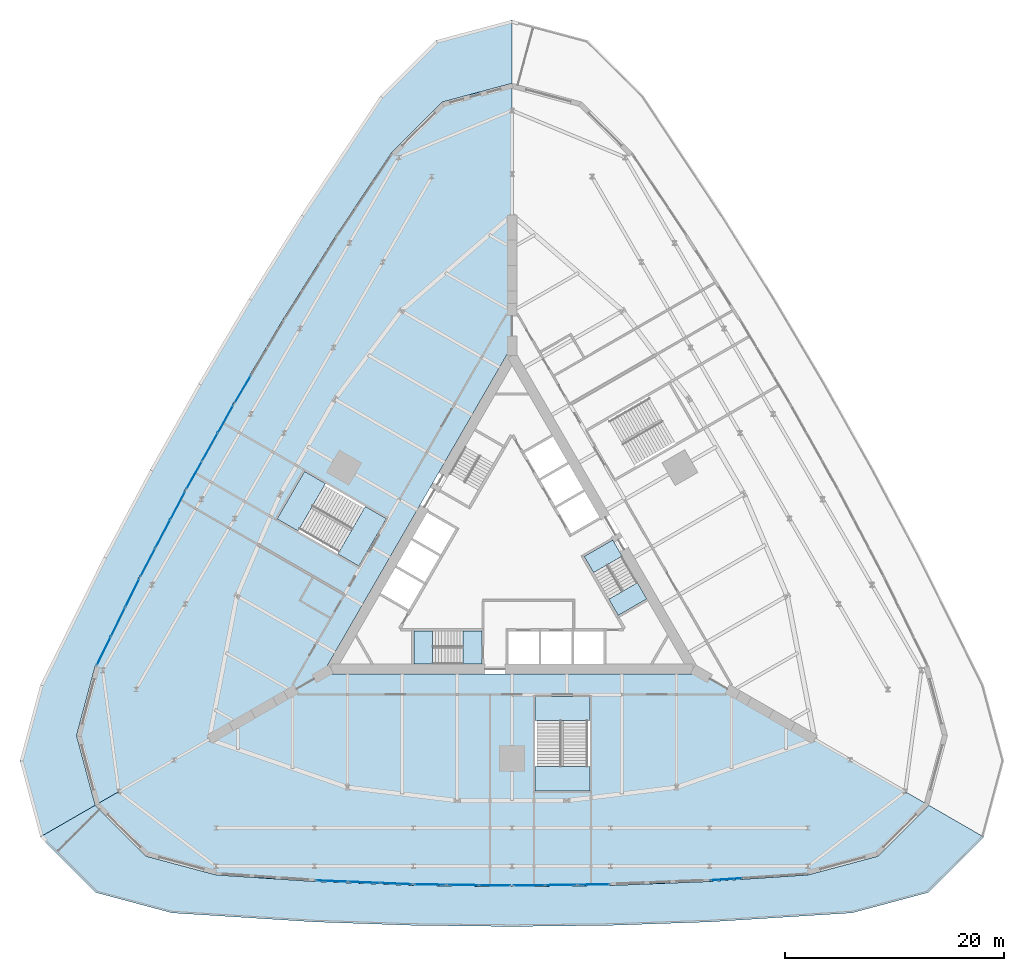
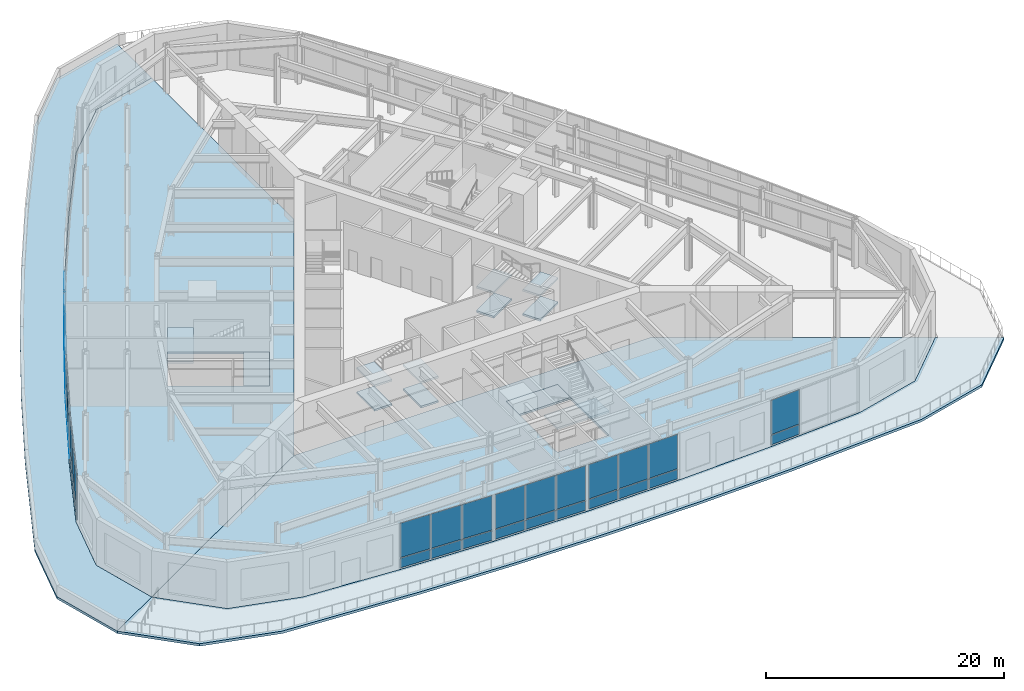
# One storey, part 10 of 20: 40 plates, 16 slabs, 12 elements without a shape of their own.
"""IFC4 building model written with IfcOpenShell, lengths in metres."""

from ifc_helpers import new_model, si_unit, direction, frame, origin, origin_2d, place, context, subcontext, project, spatial, polyline, rectangle, outline, extrude, material, layer, layer_set, type_object, element, aggregate, save


model = new_model("IFC4")

# Units and contexts
model_context = context("Model", 3, precision=1e-05, world=origin(), true_north=direction((0.0, 1.0)))
body_context = subcontext(model_context, "Body", "Model", "MODEL_VIEW")
ifc_project = project(units=[si_unit("LENGTHUNIT", "METRE"), si_unit("AREAUNIT", "SQUARE_METRE"), si_unit("VOLUMEUNIT", "CUBIC_METRE"), si_unit("PLANEANGLEUNIT", "RADIAN"), si_unit("MASSUNIT", "GRAM", prefix="KILO")], contexts=[model_context])

# Site, building, storey
site_placement = place(None, origin())
site = spatial("IfcSite", under=ifc_project, at=site_placement, CompositionType="ELEMENT")
building_placement = place(site_placement, origin())
building = spatial("IfcBuilding", under=site, at=building_placement, Name="Trikona Tower", CompositionType="ELEMENT")
storey_placement = place(building_placement, frame((0.0, 0.0, 6.0)))
storey = spatial("IfcBuildingStorey", under=building, at=storey_placement, Name="L01", CompositionType="ELEMENT", Elevation=6.0)

# Slabs
ifc_material_1 = material(Name="Concrete f'c 5000 psi lightweight on composite steel deck", Category="concrete")
ifc_layer_1 = layer(ifc_material_1, 0.25)
ifc_layer_set_1 = layer_set([ifc_layer_1], Name="Composite floor slab 250")
slab_type_1 = type_object("IfcSlabType", Name="Composite floor slab 250", PredefinedType="FLOOR", material=ifc_layer_set_1)
slab_1_placement = place(storey_placement, frame((0.0, 0.0, -0.25)))
element("IfcSlab", 1, at=slab_1_placement, inside=storey, type_object=slab_type_1, Name="Floor slab L01 south", PredefinedType="FLOOR", context=body_context, shape_type="SweptSolid", body=[
    extrude(outline(polyline([(33.350830078125, -26.58837890625), (38.0, -21.939208984375), (17.279296875, -9.976318359375), (-17.279296875, -9.976318359375), (-38.0, -21.939208984375), (-33.350830078125, -26.58837890625), (-27.0, -28.290283203125), (-18.0, -28.89013671875), (-9.0, -29.250244140625), (0.0, -29.3701171875), (9.0, -29.250244140625), (18.0, -28.89013671875), (27.0, -28.290283203125), (33.350830078125, -26.58837890625)]), holes=[polyline([(2.10009765625, -20.626220703125), (7.10009765625, -20.626220703125), (7.10009765625, -12.0263671875), (2.10009765625, -12.0263671875), (2.10009765625, -20.626220703125)])]), origin(), (0.0, 0.0, 1.0), 0.25),
])
slab_2_placement = place(storey_placement, frame((0.0, 0.0, -0.25)))
element("IfcSlab", 2, at=slab_2_placement, inside=storey, type_object=slab_type_1, Name="Floor slab L01 north-west", PredefinedType="FLOOR", context=body_context, shape_type="SweptSolid", body=[
    extrude(outline(polyline([(-38.0, -21.939208984375), (-17.279296875, -9.976318359375), (0.0, 19.95263671875), (0.0, 43.878662109375), (-6.350830078125, 42.177001953125), (-11.0, 37.52783203125), (-16.01953125, 30.033447265625), (-20.831298828125, 22.419189453125), (-25.435302734375, 14.68505859375), (-29.831298828125, 6.830810546875), (-34.01953125, -1.143310546875), (-38.0, -9.237548828125), (-39.70166015625, -15.58837890625), (-38.0, -21.939208984375)]), holes=[polyline([(-13.965087890625, -0.135498046875), (-11.465087890625, 4.194580078125), (-18.912841796875, 8.494384765625), (-21.412841796875, 4.164306640625), (-13.965087890625, -0.135498046875)])]), origin(), (0.0, 0.0, 1.0), 0.25),
])

# Curtain wall, plates
ifc_material_2 = material(Name="Aluminium curtain wall system", Category="aluminium")
curtain_wall_type = type_object("IfcCurtainWallType", Name="Curtain wall PD", PredefinedType="NOTDEFINED", material=ifc_material_2)
curtain_wall_1_placement = place(storey_placement, origin())
curtain_wall_1 = element("IfcCurtainWall", 3, at=curtain_wall_1_placement, inside=storey, type_object=curtain_wall_type, Name="Curtain wall PD L01", PredefinedType="NOTDEFINED")
ifc_material_3 = material(Name="Clear insulating glass unit", Category="glass")
ifc_layer_2 = layer(ifc_material_3, 0.028076171875)
ifc_layer_set_2 = layer_set([ifc_layer_2], Name="Glass panel PD")
plate_type = type_object("IfcPlateType", Name="Glass panel PD", PredefinedType="CURTAIN_PANEL", material=ifc_layer_set_2)
plate_1_placement = place(storey_placement, frame((-16.43359375, -28.852783203125, 0.08984375), z_axis=(0.0, 0.0, 1.0), x_axis=(0.999200976697, -0.039967588978, 0.0)))
plate_1 = element("IfcPlate", 4, at=plate_1_placement, type_object=plate_type, Name="CW-PD panel 1.1", PredefinedType="CURTAIN_PANEL", context=body_context, shape_type="SweptSolid", body=[
    extrude(rectangle(XDim=2.827392578125, YDim=0.028076171875, at=origin_2d()), origin(), (0.0, 0.0, 1.0), 0.965087890625),
])
plate_2_placement = place(storey_placement, frame((-16.43359375, -28.852783203125, 1.14501953125), z_axis=(0.0, 0.0, 1.0), x_axis=(0.999200976697, -0.039967588978, 0.0)))
plate_2 = element("IfcPlate", 5, at=plate_2_placement, type_object=plate_type, Name="CW-PD panel 1.2", PredefinedType="CURTAIN_PANEL", context=body_context, shape_type="SweptSolid", body=[
    extrude(rectangle(XDim=2.827392578125, YDim=0.028076171875, at=origin_2d()), origin(), (0.0, 0.0, 1.0), 3.514892578125),
])
plate_3_placement = place(storey_placement, frame((-13.49609375, -28.97021484375, 0.08984375), z_axis=(0.0, 0.0, 1.0), x_axis=(0.999200976697, -0.039967588978, 0.0)))
plate_3 = element("IfcPlate", 6, at=plate_3_placement, type_object=plate_type, Name="CW-PD panel 2.1", PredefinedType="CURTAIN_PANEL", context=body_context, shape_type="SweptSolid", body=[
    extrude(rectangle(XDim=2.872314453125, YDim=0.028076171875, at=origin_2d()), origin(), (0.0, 0.0, 1.0), 0.965087890625),
])
plate_4_placement = place(storey_placement, frame((-13.49609375, -28.97021484375, 1.14501953125), z_axis=(0.0, 0.0, 1.0), x_axis=(0.999200976697, -0.039967588978, 0.0)))
plate_4 = element("IfcPlate", 7, at=plate_4_placement, type_object=plate_type, Name="CW-PD panel 2.2", PredefinedType="CURTAIN_PANEL", context=body_context, shape_type="SweptSolid", body=[
    extrude(rectangle(XDim=2.872314453125, YDim=0.028076171875, at=origin_2d()), origin(), (0.0, 0.0, 1.0), 3.514892578125),
])
plate_5_placement = place(storey_placement, frame((-10.55859375, -29.087890625, 0.08984375), z_axis=(0.0, 0.0, 1.0), x_axis=(0.999200976697, -0.039967588978, 0.0)))
plate_5 = element("IfcPlate", 8, at=plate_5_placement, type_object=plate_type, Name="CW-PD panel 3.1", PredefinedType="CURTAIN_PANEL", context=body_context, shape_type="SweptSolid", body=[
    extrude(rectangle(XDim=2.827392578125, YDim=0.028076171875, at=origin_2d()), origin(), (0.0, 0.0, 1.0), 0.965087890625),
])
plate_6_placement = place(storey_placement, frame((-10.55859375, -29.087890625, 1.14501953125), z_axis=(0.0, 0.0, 1.0), x_axis=(0.999200976697, -0.039967588978, 0.0)))
plate_6 = element("IfcPlate", 9, at=plate_6_placement, type_object=plate_type, Name="CW-PD panel 3.2", PredefinedType="CURTAIN_PANEL", context=body_context, shape_type="SweptSolid", body=[
    extrude(rectangle(XDim=2.827392578125, YDim=0.028076171875, at=origin_2d()), origin(), (0.0, 0.0, 1.0), 3.514892578125),
])
aggregate(curtain_wall_1, [plate_1, plate_2, plate_3, plate_4, plate_5, plate_6])

curtain_wall_2_placement = place(storey_placement, origin())
curtain_wall_2 = element("IfcCurtainWall", 10, at=curtain_wall_2_placement, inside=storey, type_object=curtain_wall_type, Name="Curtain wall PD L01", PredefinedType="NOTDEFINED")
plate_7_placement = place(storey_placement, frame((-7.436279296875, -29.171142578125, 0.08984375), z_axis=(0.0, 0.0, 1.0), x_axis=(0.999911122961, -0.013332148307, 0.0)))
plate_7 = element("IfcPlate", 11, at=plate_7_placement, type_object=plate_type, Name="CW-PD panel 1.1", PredefinedType="CURTAIN_PANEL", context=body_context, shape_type="SweptSolid", body=[
    extrude(rectangle(XDim=2.8251953125, YDim=0.028076171875, at=origin_2d()), origin(), (0.0, 0.0, 1.0), 0.965087890625),
])
plate_8_placement = place(storey_placement, frame((-7.436279296875, -29.171142578125, 1.14501953125), z_axis=(0.0, 0.0, 1.0), x_axis=(0.999911122961, -0.013332148307, 0.0)))
plate_8 = element("IfcPlate", 12, at=plate_8_placement, type_object=plate_type, Name="CW-PD panel 1.2", PredefinedType="CURTAIN_PANEL", context=body_context, shape_type="SweptSolid", body=[
    extrude(rectangle(XDim=2.8251953125, YDim=0.028076171875, at=origin_2d()), origin(), (0.0, 0.0, 1.0), 3.514892578125),
])
plate_9_placement = place(storey_placement, frame((-4.498779296875, -29.210205078125, 0.08984375), z_axis=(0.0, 0.0, 1.0), x_axis=(0.999911122961, -0.013332148307, 0.0)))
plate_9 = element("IfcPlate", 13, at=plate_9_placement, type_object=plate_type, Name="CW-PD panel 2.1", PredefinedType="CURTAIN_PANEL", context=body_context, shape_type="SweptSolid", body=[
    extrude(rectangle(XDim=2.870361328125, YDim=0.028076171875, at=origin_2d()), origin(), (0.0, 0.0, 1.0), 0.965087890625),
])
plate_10_placement = place(storey_placement, frame((-4.498779296875, -29.210205078125, 1.14501953125), z_axis=(0.0, 0.0, 1.0), x_axis=(0.999911122961, -0.013332148307, 0.0)))
plate_10 = element("IfcPlate", 14, at=plate_10_placement, type_object=plate_type, Name="CW-PD panel 2.2", PredefinedType="CURTAIN_PANEL", context=body_context, shape_type="SweptSolid", body=[
    extrude(rectangle(XDim=2.870361328125, YDim=0.028076171875, at=origin_2d()), origin(), (0.0, 0.0, 1.0), 3.514892578125),
])
plate_11_placement = place(storey_placement, frame((-1.561279296875, -29.249267578125, 0.08984375), z_axis=(0.0, 0.0, 1.0), x_axis=(0.999911122961, -0.013332148307, 0.0)))
plate_11 = element("IfcPlate", 15, at=plate_11_placement, type_object=plate_type, Name="CW-PD panel 3.1", PredefinedType="CURTAIN_PANEL", context=body_context, shape_type="SweptSolid", body=[
    extrude(rectangle(XDim=2.8251953125, YDim=0.028076171875, at=origin_2d()), origin(), (0.0, 0.0, 1.0), 0.965087890625),
])
plate_12_placement = place(storey_placement, frame((-1.561279296875, -29.249267578125, 1.14501953125), z_axis=(0.0, 0.0, 1.0), x_axis=(0.999911122961, -0.013332148307, 0.0)))
plate_12 = element("IfcPlate", 16, at=plate_12_placement, type_object=plate_type, Name="CW-PD panel 3.2", PredefinedType="CURTAIN_PANEL", context=body_context, shape_type="SweptSolid", body=[
    extrude(rectangle(XDim=2.8251953125, YDim=0.028076171875, at=origin_2d()), origin(), (0.0, 0.0, 1.0), 3.514892578125),
])
aggregate(curtain_wall_2, [plate_7, plate_8, plate_9, plate_10, plate_11, plate_12])

curtain_wall_3_placement = place(storey_placement, origin())
curtain_wall_3 = element("IfcCurtainWall", 17, at=curtain_wall_3_placement, inside=storey, type_object=curtain_wall_type, Name="Curtain wall PD L01", PredefinedType="NOTDEFINED")
plate_13_placement = place(storey_placement, frame((1.561279296875, -29.249267578125, 0.08984375), z_axis=(0.0, 0.0, 1.0), x_axis=(0.999911122961, 0.013332148307, 0.0)))
plate_13 = element("IfcPlate", 18, at=plate_13_placement, type_object=plate_type, Name="CW-PD panel 1.1", PredefinedType="CURTAIN_PANEL", context=body_context, shape_type="SweptSolid", body=[
    extrude(rectangle(XDim=2.8251953125, YDim=0.028076171875, at=origin_2d()), origin(), (0.0, 0.0, 1.0), 0.965087890625),
])
plate_14_placement = place(storey_placement, frame((1.561279296875, -29.249267578125, 1.14501953125), z_axis=(0.0, 0.0, 1.0), x_axis=(0.999911122961, 0.013332148307, 0.0)))
plate_14 = element("IfcPlate", 19, at=plate_14_placement, type_object=plate_type, Name="CW-PD panel 1.2", PredefinedType="CURTAIN_PANEL", context=body_context, shape_type="SweptSolid", body=[
    extrude(rectangle(XDim=2.8251953125, YDim=0.028076171875, at=origin_2d()), origin(), (0.0, 0.0, 1.0), 3.514892578125),
])
plate_15_placement = place(storey_placement, frame((4.498779296875, -29.210205078125, 0.08984375), z_axis=(0.0, 0.0, 1.0), x_axis=(0.999911122961, 0.013332148307, 0.0)))
plate_15 = element("IfcPlate", 20, at=plate_15_placement, type_object=plate_type, Name="CW-PD panel 2.1", PredefinedType="CURTAIN_PANEL", context=body_context, shape_type="SweptSolid", body=[
    extrude(rectangle(XDim=2.870361328125, YDim=0.028076171875, at=origin_2d()), origin(), (0.0, 0.0, 1.0), 0.965087890625),
])
plate_16_placement = place(storey_placement, frame((4.498779296875, -29.210205078125, 1.14501953125), z_axis=(0.0, 0.0, 1.0), x_axis=(0.999911122961, 0.013332148307, 0.0)))
plate_16 = element("IfcPlate", 21, at=plate_16_placement, type_object=plate_type, Name="CW-PD panel 2.2", PredefinedType="CURTAIN_PANEL", context=body_context, shape_type="SweptSolid", body=[
    extrude(rectangle(XDim=2.870361328125, YDim=0.028076171875, at=origin_2d()), origin(), (0.0, 0.0, 1.0), 3.514892578125),
])
plate_17_placement = place(storey_placement, frame((7.436279296875, -29.171142578125, 0.08984375), z_axis=(0.0, 0.0, 1.0), x_axis=(0.999911122961, 0.013332148307, 0.0)))
plate_17 = element("IfcPlate", 22, at=plate_17_placement, type_object=plate_type, Name="CW-PD panel 3.1", PredefinedType="CURTAIN_PANEL", context=body_context, shape_type="SweptSolid", body=[
    extrude(rectangle(XDim=2.8251953125, YDim=0.028076171875, at=origin_2d()), origin(), (0.0, 0.0, 1.0), 0.965087890625),
])
plate_18_placement = place(storey_placement, frame((7.436279296875, -29.171142578125, 1.14501953125), z_axis=(0.0, 0.0, 1.0), x_axis=(0.999911122961, 0.013332148307, 0.0)))
plate_18 = element("IfcPlate", 23, at=plate_18_placement, type_object=plate_type, Name="CW-PD panel 3.2", PredefinedType="CURTAIN_PANEL", context=body_context, shape_type="SweptSolid", body=[
    extrude(rectangle(XDim=2.8251953125, YDim=0.028076171875, at=origin_2d()), origin(), (0.0, 0.0, 1.0), 3.514892578125),
])
aggregate(curtain_wall_3, [plate_13, plate_14, plate_15, plate_16, plate_17, plate_18])

curtain_wall_4_placement = place(storey_placement, origin())
curtain_wall_4 = element("IfcCurtainWall", 24, at=curtain_wall_4_placement, inside=storey, type_object=curtain_wall_type, Name="Curtain wall PD L01", PredefinedType="NOTDEFINED")
plate_19_placement = place(storey_placement, frame((19.5556640625, -28.686279296875, 0.08984375), z_axis=(0.0, 0.0, 1.0), x_axis=(0.997785307004, 0.066516773278, 0.0)))
plate_19 = element("IfcPlate", 25, at=plate_19_placement, type_object=plate_type, Name="CW-PD panel 1.1", PredefinedType="CURTAIN_PANEL", context=body_context, shape_type="SweptSolid", body=[
    extrude(rectangle(XDim=2.831787109375, YDim=0.028076171875, at=origin_2d()), origin(), (0.0, 0.0, 1.0), 0.965087890625),
])
plate_20_placement = place(storey_placement, frame((19.5556640625, -28.686279296875, 1.14501953125), z_axis=(0.0, 0.0, 1.0), x_axis=(0.997785307004, 0.066516773278, 0.0)))
plate_20 = element("IfcPlate", 26, at=plate_20_placement, type_object=plate_type, Name="CW-PD panel 1.2", PredefinedType="CURTAIN_PANEL", context=body_context, shape_type="SweptSolid", body=[
    extrude(rectangle(XDim=2.831787109375, YDim=0.028076171875, at=origin_2d()), origin(), (0.0, 0.0, 1.0), 3.514892578125),
])
aggregate(curtain_wall_4, [plate_19, plate_20])

curtain_wall_5_placement = place(storey_placement, origin())
curtain_wall_5 = element("IfcCurtainWall", 27, at=curtain_wall_5_placement, inside=storey, type_object=curtain_wall_type, Name="Curtain wall PD L01", PredefinedType="NOTDEFINED")
plate_21_placement = place(storey_placement, frame((-24.550048828125, 15.9765625, 0.08984375), z_axis=(0.0, 0.0, 1.0), x_axis=(-0.511498706873, -0.859284046673, 0.0)))
plate_21 = element("IfcPlate", 28, at=plate_21_placement, type_object=plate_type, Name="CW-PD panel 3.1", PredefinedType="CURTAIN_PANEL", context=body_context, shape_type="SweptSolid", body=[
    extrude(rectangle(XDim=2.8251953125, YDim=0.028076171875, at=origin_2d()), origin(), (0.0, 0.0, 1.0), 0.965087890625),
])
plate_22_placement = place(storey_placement, frame((-24.550048828125, 15.9765625, 1.14501953125), z_axis=(0.0, 0.0, 1.0), x_axis=(-0.511498706873, -0.859284046673, 0.0)))
plate_22 = element("IfcPlate", 29, at=plate_22_placement, type_object=plate_type, Name="CW-PD panel 3.2", PredefinedType="CURTAIN_PANEL", context=body_context, shape_type="SweptSolid", body=[
    extrude(rectangle(XDim=2.8251953125, YDim=0.028076171875, at=origin_2d()), origin(), (0.0, 0.0, 1.0), 3.514892578125),
])
aggregate(curtain_wall_5, [plate_21, plate_22])

curtain_wall_6_placement = place(storey_placement, origin())
curtain_wall_6 = element("IfcCurtainWall", 30, at=curtain_wall_6_placement, inside=storey, type_object=curtain_wall_type, Name="Curtain wall PD L01", PredefinedType="NOTDEFINED")
plate_23_placement = place(storey_placement, frame((-26.111083984375, 13.272705078125, 0.08984375), z_axis=(0.0, 0.0, 1.0), x_axis=(-0.488413057825, -0.872612562908, 0.0)))
plate_23 = element("IfcPlate", 31, at=plate_23_placement, type_object=plate_type, Name="CW-PD panel 1.1", PredefinedType="CURTAIN_PANEL", context=body_context, shape_type="SweptSolid", body=[
    extrude(rectangle(XDim=2.8251953125, YDim=0.028076171875, at=origin_2d()), origin(), (0.0, 0.0, 1.0), 0.965087890625),
])
plate_24_placement = place(storey_placement, frame((-26.111083984375, 13.272705078125, 1.14501953125), z_axis=(0.0, 0.0, 1.0), x_axis=(-0.488413057825, -0.872612562908, 0.0)))
plate_24 = element("IfcPlate", 32, at=plate_24_placement, type_object=plate_type, Name="CW-PD panel 1.2", PredefinedType="CURTAIN_PANEL", context=body_context, shape_type="SweptSolid", body=[
    extrude(rectangle(XDim=2.8251953125, YDim=0.028076171875, at=origin_2d()), origin(), (0.0, 0.0, 1.0), 3.514892578125),
])
plate_25_placement = place(storey_placement, frame((-27.546142578125, 10.709228515625, 0.08984375), z_axis=(0.0, 0.0, 1.0), x_axis=(-0.488413057825, -0.872612562908, 0.0)))
plate_25 = element("IfcPlate", 33, at=plate_25_placement, type_object=plate_type, Name="CW-PD panel 2.1", PredefinedType="CURTAIN_PANEL", context=body_context, shape_type="SweptSolid", body=[
    extrude(rectangle(XDim=2.870361328125, YDim=0.028076171875, at=origin_2d()), origin(), (0.0, 0.0, 1.0), 0.965087890625),
])
plate_26_placement = place(storey_placement, frame((-27.546142578125, 10.709228515625, 1.14501953125), z_axis=(0.0, 0.0, 1.0), x_axis=(-0.488413057825, -0.872612562908, 0.0)))
plate_26 = element("IfcPlate", 34, at=plate_26_placement, type_object=plate_type, Name="CW-PD panel 2.2", PredefinedType="CURTAIN_PANEL", context=body_context, shape_type="SweptSolid", body=[
    extrude(rectangle(XDim=2.870361328125, YDim=0.028076171875, at=origin_2d()), origin(), (0.0, 0.0, 1.0), 3.514892578125),
])
plate_27_placement = place(storey_placement, frame((-28.98095703125, 8.1455078125, 0.08984375), z_axis=(0.0, 0.0, 1.0), x_axis=(-0.488413057825, -0.872612562908, 0.0)))
plate_27 = element("IfcPlate", 35, at=plate_27_placement, type_object=plate_type, Name="CW-PD panel 3.1", PredefinedType="CURTAIN_PANEL", context=body_context, shape_type="SweptSolid", body=[
    extrude(rectangle(XDim=2.8251953125, YDim=0.028076171875, at=origin_2d()), origin(), (0.0, 0.0, 1.0), 0.965087890625),
])
plate_28_placement = place(storey_placement, frame((-28.98095703125, 8.1455078125, 1.14501953125), z_axis=(0.0, 0.0, 1.0), x_axis=(-0.488413057825, -0.872612562908, 0.0)))
plate_28 = element("IfcPlate", 36, at=plate_28_placement, type_object=plate_type, Name="CW-PD panel 3.2", PredefinedType="CURTAIN_PANEL", context=body_context, shape_type="SweptSolid", body=[
    extrude(rectangle(XDim=2.8251953125, YDim=0.028076171875, at=origin_2d()), origin(), (0.0, 0.0, 1.0), 3.514892578125),
])
aggregate(curtain_wall_6, [plate_23, plate_24, plate_25, plate_26, plate_27, plate_28])

curtain_wall_7_placement = place(storey_placement, origin())
curtain_wall_7 = element("IfcCurtainWall", 37, at=curtain_wall_7_placement, inside=storey, type_object=curtain_wall_type, Name="Curtain wall PD L01", PredefinedType="NOTDEFINED")
plate_29_placement = place(storey_placement, frame((-30.469970703125, 5.400146484375, 0.08984375), z_axis=(0.0, 0.0, 1.0), x_axis=(-0.464979215476, -0.88532159647, 0.0)))
plate_29 = element("IfcPlate", 38, at=plate_29_placement, type_object=plate_type, Name="CW-PD panel 1.1", PredefinedType="CURTAIN_PANEL", context=body_context, shape_type="SweptSolid", body=[
    extrude(rectangle(XDim=2.827392578125, YDim=0.028076171875, at=origin_2d()), origin(), (0.0, 0.0, 1.0), 0.965087890625),
])
plate_30_placement = place(storey_placement, frame((-30.469970703125, 5.400146484375, 1.14501953125), z_axis=(0.0, 0.0, 1.0), x_axis=(-0.464979215476, -0.88532159647, 0.0)))
plate_30 = element("IfcPlate", 39, at=plate_30_placement, type_object=plate_type, Name="CW-PD panel 1.2", PredefinedType="CURTAIN_PANEL", context=body_context, shape_type="SweptSolid", body=[
    extrude(rectangle(XDim=2.827392578125, YDim=0.028076171875, at=origin_2d()), origin(), (0.0, 0.0, 1.0), 3.514892578125),
])
plate_31_placement = place(storey_placement, frame((-31.8369140625, 2.79736328125, 0.08984375), z_axis=(0.0, 0.0, 1.0), x_axis=(-0.464979215476, -0.88532159647, 0.0)))
plate_31 = element("IfcPlate", 40, at=plate_31_placement, type_object=plate_type, Name="CW-PD panel 2.1", PredefinedType="CURTAIN_PANEL", context=body_context, shape_type="SweptSolid", body=[
    extrude(rectangle(XDim=2.872314453125, YDim=0.028076171875, at=origin_2d()), origin(), (0.0, 0.0, 1.0), 0.965087890625),
])
plate_32_placement = place(storey_placement, frame((-31.8369140625, 2.79736328125, 1.14501953125), z_axis=(0.0, 0.0, 1.0), x_axis=(-0.464979215476, -0.88532159647, 0.0)))
plate_32 = element("IfcPlate", 41, at=plate_32_placement, type_object=plate_type, Name="CW-PD panel 2.2", PredefinedType="CURTAIN_PANEL", context=body_context, shape_type="SweptSolid", body=[
    extrude(rectangle(XDim=2.872314453125, YDim=0.028076171875, at=origin_2d()), origin(), (0.0, 0.0, 1.0), 3.514892578125),
])
plate_33_placement = place(storey_placement, frame((-33.2041015625, 0.194580078125, 0.08984375), z_axis=(0.0, 0.0, 1.0), x_axis=(-0.464979215476, -0.88532159647, 0.0)))
plate_33 = element("IfcPlate", 42, at=plate_33_placement, type_object=plate_type, Name="CW-PD panel 3.1", PredefinedType="CURTAIN_PANEL", context=body_context, shape_type="SweptSolid", body=[
    extrude(rectangle(XDim=2.827392578125, YDim=0.028076171875, at=origin_2d()), origin(), (0.0, 0.0, 1.0), 0.965087890625),
])
plate_34_placement = place(storey_placement, frame((-33.2041015625, 0.194580078125, 1.14501953125), z_axis=(0.0, 0.0, 1.0), x_axis=(-0.464979215476, -0.88532159647, 0.0)))
plate_34 = element("IfcPlate", 43, at=plate_34_placement, type_object=plate_type, Name="CW-PD panel 3.2", PredefinedType="CURTAIN_PANEL", context=body_context, shape_type="SweptSolid", body=[
    extrude(rectangle(XDim=2.827392578125, YDim=0.028076171875, at=origin_2d()), origin(), (0.0, 0.0, 1.0), 3.514892578125),
])
aggregate(curtain_wall_7, [plate_29, plate_30, plate_31, plate_32, plate_33, plate_34])

curtain_wall_8_placement = place(storey_placement, origin())
curtain_wall_8 = element("IfcCurtainWall", 44, at=curtain_wall_8_placement, inside=storey, type_object=curtain_wall_type, Name="Curtain wall PD L01", PredefinedType="NOTDEFINED")
plate_35_placement = place(storey_placement, frame((-34.620849609375, -2.5927734375, 0.08984375), z_axis=(0.0, 0.0, 1.0), x_axis=(-0.44129369895, -0.897362731155, 0.0)))
plate_35 = element("IfcPlate", 45, at=plate_35_placement, type_object=plate_type, Name="CW-PD panel 1.1", PredefinedType="CURTAIN_PANEL", context=body_context, shape_type="SweptSolid", body=[
    extrude(rectangle(XDim=2.83154296875, YDim=0.028076171875, at=origin_2d()), origin(), (0.0, 0.0, 1.0), 0.965087890625),
])
plate_36_placement = place(storey_placement, frame((-34.620849609375, -2.5927734375, 1.14501953125), z_axis=(0.0, 0.0, 1.0), x_axis=(-0.44129369895, -0.897362731155, 0.0)))
plate_36 = element("IfcPlate", 46, at=plate_36_placement, type_object=plate_type, Name="CW-PD panel 1.2", PredefinedType="CURTAIN_PANEL", context=body_context, shape_type="SweptSolid", body=[
    extrude(rectangle(XDim=2.83154296875, YDim=0.028076171875, at=origin_2d()), origin(), (0.0, 0.0, 1.0), 3.514892578125),
])
plate_37_placement = place(storey_placement, frame((-35.920166015625, -5.234619140625, 0.08984375), z_axis=(0.0, 0.0, 1.0), x_axis=(-0.44129369895, -0.897362731155, 0.0)))
plate_37 = element("IfcPlate", 47, at=plate_37_placement, type_object=plate_type, Name="CW-PD panel 2.1", PredefinedType="CURTAIN_PANEL", context=body_context, shape_type="SweptSolid", body=[
    extrude(rectangle(XDim=2.876708984375, YDim=0.028076171875, at=origin_2d()), origin(), (0.0, 0.0, 1.0), 0.965087890625),
])
plate_38_placement = place(storey_placement, frame((-35.920166015625, -5.234619140625, 1.14501953125), z_axis=(0.0, 0.0, 1.0), x_axis=(-0.44129369895, -0.897362731155, 0.0)))
plate_38 = element("IfcPlate", 48, at=plate_38_placement, type_object=plate_type, Name="CW-PD panel 2.2", PredefinedType="CURTAIN_PANEL", context=body_context, shape_type="SweptSolid", body=[
    extrude(rectangle(XDim=2.876708984375, YDim=0.028076171875, at=origin_2d()), origin(), (0.0, 0.0, 1.0), 3.514892578125),
])
plate_39_placement = place(storey_placement, frame((-37.21923828125, -7.876708984375, 0.08984375), z_axis=(0.0, 0.0, 1.0), x_axis=(-0.44129369895, -0.897362731155, 0.0)))
plate_39 = element("IfcPlate", 49, at=plate_39_placement, type_object=plate_type, Name="CW-PD panel 3.1", PredefinedType="CURTAIN_PANEL", context=body_context, shape_type="SweptSolid", body=[
    extrude(rectangle(XDim=2.83154296875, YDim=0.028076171875, at=origin_2d()), origin(), (0.0, 0.0, 1.0), 0.965087890625),
])
plate_40_placement = place(storey_placement, frame((-37.21923828125, -7.876708984375, 1.14501953125), z_axis=(0.0, 0.0, 1.0), x_axis=(-0.44129369895, -0.897362731155, 0.0)))
plate_40 = element("IfcPlate", 50, at=plate_40_placement, type_object=plate_type, Name="CW-PD panel 3.2", PredefinedType="CURTAIN_PANEL", context=body_context, shape_type="SweptSolid", body=[
    extrude(rectangle(XDim=2.83154296875, YDim=0.028076171875, at=origin_2d()), origin(), (0.0, 0.0, 1.0), 3.514892578125),
])
aggregate(curtain_wall_8, [plate_35, plate_36, plate_37, plate_38, plate_39, plate_40])

# Stair, slabs
ifc_material_4 = material(Name="Concrete f'c 5000 psi", Category="concrete")
stair_type_1 = type_object("IfcStairType", Name="Core stair", PredefinedType="HALF_TURN_STAIR", material=ifc_material_4)
stair_1_placement = place(storey_placement, origin())
stair_1 = element("IfcStair", 51, at=stair_1_placement, inside=storey, type_object=stair_type_1, Name="Stair A L01", PredefinedType="HALF_TURN_STAIR")
ifc_material_5 = material(Name="Concrete f'c 5000 psi", Category="concrete")
ifc_layer_3 = layer(ifc_material_5, 0.199951171875)
ifc_layer_set_3 = layer_set([ifc_layer_3], Name="Stair landing 200")
slab_type_2 = type_object("IfcSlabType", Name="Stair landing 200", PredefinedType="LANDING", material=ifc_layer_set_3)
slab_3_placement = place(storey_placement, frame((0.0, 0.0, -0.199951171875)))
slab_3 = element("IfcSlab", 52, at=slab_3_placement, type_object=slab_type_2, Name="ST-A landing 1", PredefinedType="LANDING", context=body_context, shape_type="SweptSolid", body=[
    extrude(outline(polyline([(-4.452880859375, -6.076416015625), (-2.75, -6.076416015625), (-2.75, -9.076416015625), (-4.452880859375, -9.076416015625), (-4.452880859375, -6.076416015625)])), origin(), (0.0, 0.0, 1.0), 0.199951171875),
])
slab_4_placement = place(storey_placement, frame((0.0, 0.0, 1.050048828125)))
slab_4 = element("IfcSlab", 53, at=slab_4_placement, type_object=slab_type_2, Name="ST-A landing 2", PredefinedType="LANDING", context=body_context, shape_type="SweptSolid", body=[
    extrude(outline(polyline([(-8.949951171875, -6.076416015625), (-7.2470703125, -6.076416015625), (-7.2470703125, -9.076416015625), (-8.949951171875, -9.076416015625), (-8.949951171875, -6.076416015625)])), origin(), (0.0, 0.0, 1.0), 0.199951171875),
])
slab_5_placement = place(storey_placement, frame((0.0, 0.0, 2.300048828125)))
slab_5 = element("IfcSlab", 54, at=slab_5_placement, type_object=slab_type_2, Name="ST-A landing 3", PredefinedType="LANDING", context=body_context, shape_type="SweptSolid", body=[
    extrude(outline(polyline([(-4.452880859375, -6.076416015625), (-2.75, -6.076416015625), (-2.75, -9.076416015625), (-4.452880859375, -9.076416015625), (-4.452880859375, -6.076416015625)])), origin(), (0.0, 0.0, 1.0), 0.199951171875),
])
slab_6_placement = place(storey_placement, frame((0.0, 0.0, 3.550048828125)))
slab_6 = element("IfcSlab", 55, at=slab_6_placement, type_object=slab_type_2, Name="ST-A landing 4", PredefinedType="LANDING", context=body_context, shape_type="SweptSolid", body=[
    extrude(outline(polyline([(-8.949951171875, -6.076416015625), (-7.2470703125, -6.076416015625), (-7.2470703125, -9.076416015625), (-8.949951171875, -9.076416015625), (-8.949951171875, -6.076416015625)])), origin(), (0.0, 0.0, 1.0), 0.199951171875),
])
aggregate(stair_1, [slab_3, slab_4, slab_5, slab_6])

stair_2_placement = place(storey_placement, origin())
stair_2 = element("IfcStair", 56, at=stair_2_placement, inside=storey, type_object=stair_type_1, Name="Stair B L01", PredefinedType="HALF_TURN_STAIR")
slab_7_placement = place(storey_placement, frame((0.0, 0.0, -0.199951171875)))
slab_7 = element("IfcSlab", 57, at=slab_7_placement, type_object=slab_type_2, Name="ST-B landing 1", PredefinedType="LANDING", context=body_context, shape_type="SweptSolid", body=[
    extrude(outline(polyline([(7.438720703125, -0.731689453125), (6.587158203125, 0.7431640625), (9.185302734375, 2.2431640625), (10.036865234375, 0.768310546875), (7.438720703125, -0.731689453125)])), origin(), (0.0, 0.0, 1.0), 0.199951171875),
])
slab_8_placement = place(storey_placement, frame((0.0, 0.0, 1.050048828125)))
slab_8 = element("IfcSlab", 58, at=slab_8_placement, type_object=slab_type_2, Name="ST-B landing 2", PredefinedType="LANDING", context=body_context, shape_type="SweptSolid", body=[
    extrude(outline(polyline([(9.687255859375, -4.626220703125), (8.835693359375, -3.1513671875), (11.433837890625, -1.6513671875), (12.285400390625, -3.126220703125), (9.687255859375, -4.626220703125)])), origin(), (0.0, 0.0, 1.0), 0.199951171875),
])
slab_9_placement = place(storey_placement, frame((0.0, 0.0, 2.300048828125)))
slab_9 = element("IfcSlab", 59, at=slab_9_placement, type_object=slab_type_2, Name="ST-B landing 3", PredefinedType="LANDING", context=body_context, shape_type="SweptSolid", body=[
    extrude(outline(polyline([(7.438720703125, -0.731689453125), (6.587158203125, 0.7431640625), (9.185302734375, 2.2431640625), (10.036865234375, 0.768310546875), (7.438720703125, -0.731689453125)])), origin(), (0.0, 0.0, 1.0), 0.199951171875),
])
slab_10_placement = place(storey_placement, frame((0.0, 0.0, 3.550048828125)))
slab_10 = element("IfcSlab", 60, at=slab_10_placement, type_object=slab_type_2, Name="ST-B landing 4", PredefinedType="LANDING", context=body_context, shape_type="SweptSolid", body=[
    extrude(outline(polyline([(9.687255859375, -4.626220703125), (8.835693359375, -3.1513671875), (11.433837890625, -1.6513671875), (12.285400390625, -3.126220703125), (9.687255859375, -4.626220703125)])), origin(), (0.0, 0.0, 1.0), 0.199951171875),
])
aggregate(stair_2, [slab_7, slab_8, slab_9, slab_10])

ifc_material_6 = material(Name="Concrete f'c 5000 psi", Category="concrete")
stair_type_2 = type_object("IfcStairType", Name="Podium stair", PredefinedType="HALF_TURN_STAIR", material=ifc_material_6)
stair_3_placement = place(storey_placement, origin())
stair_3 = element("IfcStair", 61, at=stair_3_placement, inside=storey, type_object=stair_type_2, Name="Podium stair PS1 L01", PredefinedType="HALF_TURN_STAIR")
slab_11_placement = place(storey_placement, frame((0.0, 0.0, -0.199951171875)))
slab_11 = element("IfcSlab", 62, at=slab_11_placement, type_object=slab_type_2, Name="PS1 landing 1", PredefinedType="LANDING", context=body_context, shape_type="SweptSolid", body=[
    extrude(outline(polyline([(2.10009765625, -12.0263671875), (7.10009765625, -12.0263671875), (7.10009765625, -14.229248046875), (2.10009765625, -14.229248046875), (2.10009765625, -12.0263671875)])), origin(), (0.0, 0.0, 1.0), 0.199951171875),
])
slab_12_placement = place(storey_placement, frame((0.0, 0.0, 2.300048828125)))
slab_12 = element("IfcSlab", 63, at=slab_12_placement, type_object=slab_type_2, Name="PS1 landing 2", PredefinedType="LANDING", context=body_context, shape_type="SweptSolid", body=[
    extrude(outline(polyline([(2.10009765625, -18.42333984375), (7.10009765625, -18.42333984375), (7.10009765625, -20.626220703125), (2.10009765625, -20.626220703125), (2.10009765625, -18.42333984375)])), origin(), (0.0, 0.0, 1.0), 0.199951171875),
])
aggregate(stair_3, [slab_11, slab_12])

stair_4_placement = place(storey_placement, origin())
stair_4 = element("IfcStair", 64, at=stair_4_placement, inside=storey, type_object=stair_type_2, Name="Podium stair PS3 L01", PredefinedType="HALF_TURN_STAIR")
slab_13_placement = place(storey_placement, frame((0.0, 0.0, -0.199951171875)))
slab_13 = element("IfcSlab", 65, at=slab_13_placement, type_object=slab_type_2, Name="PS3 landing 1", PredefinedType="LANDING", context=body_context, shape_type="SweptSolid", body=[
    extrude(outline(polyline([(-11.465087890625, 4.194580078125), (-13.965087890625, -0.135498046875), (-15.872802734375, 0.9658203125), (-13.372802734375, 5.2958984375), (-11.465087890625, 4.194580078125)])), origin(), (0.0, 0.0, 1.0), 0.199951171875),
])
slab_14_placement = place(storey_placement, frame((0.0, 0.0, 2.300048828125)))
slab_14 = element("IfcSlab", 66, at=slab_14_placement, type_object=slab_type_2, Name="PS3 landing 2", PredefinedType="LANDING", context=body_context, shape_type="SweptSolid", body=[
    extrude(outline(polyline([(-17.0048828125, 7.39306640625), (-19.5048828125, 3.06298828125), (-21.412841796875, 4.164306640625), (-18.912841796875, 8.494384765625), (-17.0048828125, 7.39306640625)])), origin(), (0.0, 0.0, 1.0), 0.199951171875),
])
aggregate(stair_4, [slab_13, slab_14])

# Slabs
ifc_material_7 = material(Name="Concrete f'c 5000 psi on composite steel deck", Category="concrete")
ifc_layer_4 = layer(ifc_material_7, 0.25)
ifc_layer_set_4 = layer_set([ifc_layer_4], Name="Terrace slab 250")
slab_type_3 = type_object("IfcSlabType", Name="Terrace slab 250", PredefinedType="ROOF", material=ifc_layer_set_4)
slab_15_placement = place(storey_placement, frame((0.0, 0.0, -0.25)))
element("IfcSlab", 67, at=slab_15_placement, inside=storey, type_object=slab_type_3, Name="Terrace L01 south part 1", PredefinedType="ROOF", context=body_context, shape_type="SweptSolid", body=[
    extrude(outline(polyline([(-43.0, -24.826171875), (-37.92822265625, -29.89794921875), (-31.0, -31.75439453125), (-18.0, -32.576171875), (-9.0, -32.8896484375), (0.0, -32.994384765625), (9.0, -32.8896484375), (18.0, -32.576171875), (31.0, -31.75439453125), (37.92822265625, -29.89794921875), (43.0, -24.826171875), (38.0009765625, -21.939697265625), (33.351318359375, -26.58935546875), (27.000244140625, -28.291259765625), (18.0, -28.89111328125), (9.0, -29.251220703125), (0.0, -29.37109375), (-9.0, -29.251220703125), (-18.0, -28.89111328125), (-27.000244140625, -28.291259765625), (-33.351318359375, -26.58935546875), (-38.0009765625, -21.939697265625), (-43.0, -24.826171875)])), origin(), (0.0, 0.0, 1.0), 0.25),
])
slab_16_placement = place(storey_placement, frame((0.0, 0.0, -0.25)))
element("IfcSlab", 68, at=slab_16_placement, inside=storey, type_object=slab_type_3, Name="Green roof L01 north-west part 3", PredefinedType="ROOF", context=body_context, shape_type="SweptSolid", body=[
    extrude(outline(polyline([(-44.8564453125, -17.89794921875), (-43.0, -24.826171875), (-38.0009765625, -21.939697265625), (-39.70263671875, -15.588623046875), (-38.0009765625, -9.2373046875), (-34.0205078125, -1.14306640625), (-29.832275390625, 6.831298828125), (-25.436279296875, 14.685546875), (-20.832275390625, 22.419921875), (-16.0205078125, 30.0341796875), (-11.000732421875, 37.5283203125), (-6.351318359375, 42.177734375), (0.0, 43.879638671875), (0.0, 49.652099609375), (-6.92822265625, 47.795654296875), (-12.0, 42.723876953125), (-19.2119140625, 31.876708984375), (-23.9833984375, 24.239013671875), (-28.573974609375, 16.4970703125), (-32.9833984375, 8.650634765625), (-37.2119140625, 0.69970703125), (-43.0, -10.9697265625), (-44.8564453125, -17.89794921875)])), origin(), (0.0, 0.0, 1.0), 0.25),
])

save(model, "model.ifc")
